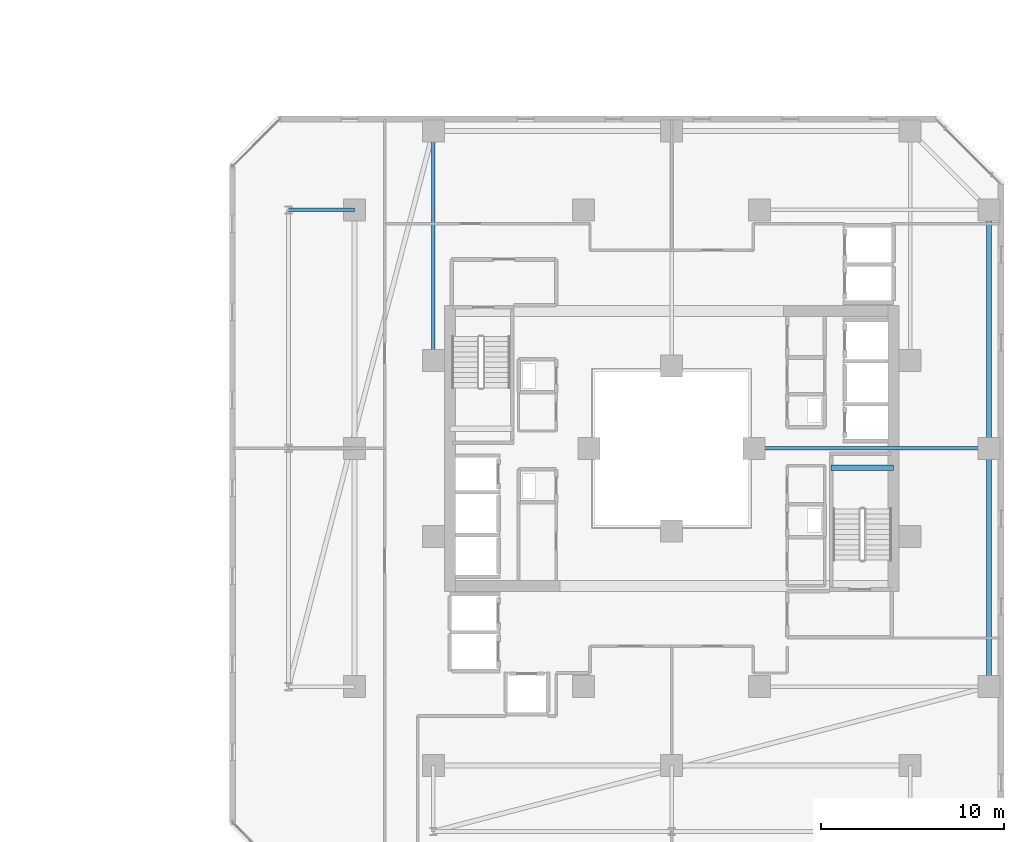
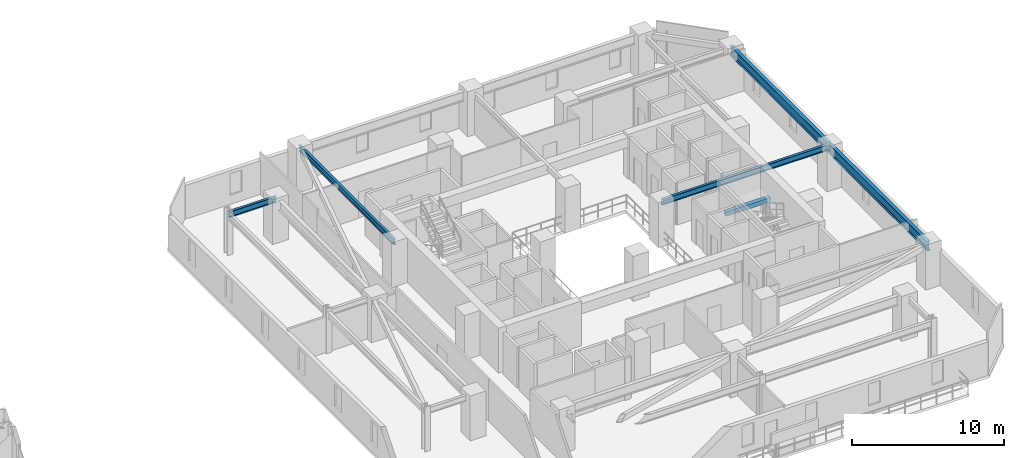
# One storey, part 14 of 33: 6 beams.
"""IFC4 building model written with IfcOpenShell, lengths in metres."""

import ifcopenshell
import ifcopenshell.guid

model = None  # the IFC model being written
_history = None  # IfcOwnerHistory: only IFC2X3 demands one
_inside = {}  # id of a spatial element -> (the spatial element, [elements in it])
_under = {}  # id of a project, library or spatial element -> (it, [spatial elements below it])
_declared = {}  # id of a project -> (the project, [libraries it declares])
_typed = {}  # id of a type object -> (the type object, [elements of that type])
_made_of = {}  # id of a material, layer set ... -> (it, [elements and type objects made of it])


def new_model(schema):
    """Start an empty IFC model of exactly this schema.

    Asked for "IFC4X3", IfcOpenShell would pick the latest addendum, in which some entities
    have other attributes; the version numbers below select the first issue.
    IFC2X3 requires an IfcOwnerHistory on every rooted entity: one is made here for all.
    """
    global model, _history
    if schema == "IFC4X3":
        model = ifcopenshell.file(schema_version=(4, 3, 0, 0))
    else:
        model = ifcopenshell.file(schema=schema)
    _inside.clear()
    _under.clear()
    _declared.clear()
    _typed.clear()
    _made_of.clear()
    _history = None
    if model.schema == "IFC2X3":
        org = make("IfcOrganization", Name="unknown")
        user = make(
            "IfcPersonAndOrganization",
            ThePerson=make("IfcPerson", FamilyName="unknown"),
            TheOrganization=org,
        )
        app = make(
            "IfcApplication",
            ApplicationDeveloper=org,
            Version="unknown",
            ApplicationFullName="unknown",
            ApplicationIdentifier="unknown",
        )
        _history = make(
            "IfcOwnerHistory",
            OwningUser=user,
            OwningApplication=app,
            ChangeAction="ADDED",
            CreationDate=0,
        )
    return model


def make(cls, **values):
    """One entity of the class cls with the attributes given. An attribute that is None is left unset."""
    return model.create_entity(
        cls, **{name: value for name, value in values.items() if value is not None}
    )


def rooted(cls, **values):
    """An entity with a GlobalId (a new one), such as an element, a storey or a relation."""
    return make(cls, GlobalId=ifcopenshell.guid.new(), OwnerHistory=_history, **values)


def si_unit(unit_type, name, prefix=None):
    """IfcSIUnit, for example si_unit("LENGTHUNIT", "METRE", prefix="MILLI")."""
    return make("IfcSIUnit", UnitType=unit_type, Prefix=prefix, Name=name)


def assignment(units):
    """IfcUnitAssignment: the units of a project."""
    return None if units is None else make("IfcUnitAssignment", Units=units)


def point(xyz):
    """IfcCartesianPoint."""
    return None if xyz is None else make("IfcCartesianPoint", Coordinates=xyz)


def direction(xyz):
    """IfcDirection."""
    return None if xyz is None else make("IfcDirection", DirectionRatios=xyz)


def frame(location, z_axis=None, x_axis=None):
    """IfcAxis2Placement3D, a coordinate frame: its origin and axes. An axis left out is left unset."""
    return make(
        "IfcAxis2Placement3D",
        Location=point(location),
        Axis=direction(z_axis),
        RefDirection=direction(x_axis),
    )


def frame_2d(location, x_axis=None):
    """IfcAxis2Placement2D, a coordinate frame in the plane: its origin and x axis."""
    return make(
        "IfcAxis2Placement2D", Location=point(location), RefDirection=direction(x_axis)
    )


def origin():
    """The frame at (0, 0, 0) with its axes left unset."""
    return frame((0.0, 0.0, 0.0))


def origin_2d():
    """The frame at (0, 0) in the plane with its x axis left unset."""
    return frame_2d((0.0, 0.0))


def place(relative_to, where):
    """IfcLocalPlacement: puts the frame where relative to a parent placement (None: the world)."""
    return make(
        "IfcLocalPlacement", PlacementRelTo=relative_to, RelativePlacement=where
    )


def context(
    kind, dimensions, precision=None, world=None, true_north=None, identifier=None
):
    """IfcGeometricRepresentationContext, for example the 3D "Model" context."""
    return make(
        "IfcGeometricRepresentationContext",
        ContextIdentifier=identifier,
        ContextType=kind,
        CoordinateSpaceDimension=dimensions,
        Precision=precision,
        WorldCoordinateSystem=world,
        TrueNorth=true_north,
    )


def subcontext(parent, identifier, kind, view, scale=None):
    """IfcGeometricRepresentationSubContext, for example "Body" below "Model"."""
    return make(
        "IfcGeometricRepresentationSubContext",
        ContextIdentifier=identifier,
        ContextType=kind,
        ParentContext=parent,
        TargetScale=scale,
        TargetView=view,
    )


def project(units=None, contexts=None):
    """IfcProject with its units and contexts."""
    return rooted(
        "IfcProject",
        Name="project",
        RepresentationContexts=contexts,
        UnitsInContext=assignment(units),
    )


def spatial(cls, under=None, at=None, **own):
    """A site, building, storey or space (cls), placed at a placement, below another one or the project."""
    s = rooted(cls, ObjectPlacement=at, **own)
    if under is not None:
        _under.setdefault(under.id(), (under, []))[1].append(s)
    return s


def profile(cls, at=None, kind="AREA", **sizes):
    """A parametric profile (cls). Its sizes go by their IFC names, for example OverallWidth=200.0."""
    return make(cls, ProfileType=kind, Position=at, **sizes)


def rectangle(**sizes):
    """IfcRectangleProfileDef."""
    return profile("IfcRectangleProfileDef", **sizes)


def i_section(**sizes):
    """IfcIShapeProfileDef."""
    return profile("IfcIShapeProfileDef", **sizes)


def extrude(swept, where, along, depth):
    """IfcExtrudedAreaSolid: the profile swept, set in the frame where, extruded along a direction by depth."""
    return make(
        "IfcExtrudedAreaSolid",
        SweptArea=swept,
        Position=where,
        ExtrudedDirection=direction(along),
        Depth=depth,
    )


def shape(context_of_items, identifier, shape_type, items):
    """IfcShapeRepresentation: the items that make up one representation, for example the "Body"."""
    return make(
        "IfcShapeRepresentation",
        ContextOfItems=context_of_items,
        RepresentationIdentifier=identifier,
        RepresentationType=shape_type,
        Items=items,
    )


def material(Name=None, Category=None):
    """IfcMaterial."""
    return make("IfcMaterial", Name=Name, Category=Category)


def material_profile(
    of_material, cross_section, Name=None, Category=None, Priority=None
):
    """IfcMaterialProfile: a cross section and its material."""
    return make(
        "IfcMaterialProfile",
        Name=Name,
        Material=of_material,
        Profile=cross_section,
        Priority=Priority,
        Category=Category,
    )


def profile_set(profiles, Name=None, composite=None):
    """IfcMaterialProfileSet."""
    return make(
        "IfcMaterialProfileSet",
        Name=Name,
        MaterialProfiles=profiles,
        CompositeProfile=composite,
    )


def made_of(thing, what):
    """Note that an element or type object is made of a material, layer set ...; save() writes the relation."""
    if what is not None:
        _made_of.setdefault(what.id(), (what, []))[1].append(thing)
    return thing


def type_object(cls, material=None, **own):
    """A type object (cls), such as IfcWallType, which elements share."""
    return made_of(rooted(cls, **own), material)


def element(
    cls,
    number,
    at=None,
    inside=None,
    cuts=None,
    type_object=None,
    material=None,
    context=None,
    identifier="Body",
    shape_type=None,
    held_by="IfcProductDefinitionShape",
    body=None,
    shapes=None,
    **own,
):
    """One element of the class cls, such as IfcWall. Its Tag is "e" and its number.

    at: its placement. inside: the storey or other place that contains it. cuts: it is an
    opening in that element (IfcRelVoidsElement). A single representation is given by context,
    identifier, shape_type and body (its items); several are given by shapes. held_by: the class
    of the entity that holds the representations. save() writes the other relations.
    """
    e = rooted(cls, Tag="e%d" % number, ObjectPlacement=at, **own)
    if body is not None:
        shapes = [shape(context, identifier, shape_type, body)]
    if shapes is not None:
        e.Representation = make(held_by, Representations=shapes)
    if inside is not None:
        _inside.setdefault(inside.id(), (inside, []))[1].append(e)
    if cuts is not None:
        rooted(
            "IfcRelVoidsElement", RelatingBuildingElement=cuts, RelatedOpeningElement=e
        )
    if type_object is not None:
        _typed.setdefault(type_object.id(), (type_object, []))[1].append(e)
    return made_of(e, material)


def aggregate(whole, parts):
    """IfcRelAggregates: a whole, such as a stair, and the parts it consists of."""
    return rooted("IfcRelAggregates", RelatingObject=whole, RelatedObjects=parts)


def save(model, path):
    """Write the relations noted so far, then the file.

    IfcRelAggregates (storeys below a building ...), IfcRelContainedInSpatialStructure (elements
    in a storey), IfcRelDefinesByType, IfcRelAssociatesMaterial and IfcRelDeclares: one each for
    every whole, place, type object, material and project.
    """
    for whole, parts in _under.values():
        aggregate(whole, parts)
    for where, things in _inside.values():
        rooted(
            "IfcRelContainedInSpatialStructure",
            RelatedElements=things,
            RelatingStructure=where,
        )
    for kind, things in _typed.values():
        rooted("IfcRelDefinesByType", RelatedObjects=things, RelatingType=kind)
    for what, things in _made_of.values():
        rooted("IfcRelAssociatesMaterial", RelatedObjects=things, RelatingMaterial=what)
    for by, libraries in _declared.values():
        rooted("IfcRelDeclares", RelatingContext=by, RelatedDefinitions=libraries)
    model.write(path)


model = new_model("IFC4")

# Units and contexts
model_context = context("Model", 3, precision=1e-05, world=origin(), true_north=direction((0.0, 1.0)))
body_context = subcontext(model_context, "Body", "Model", "MODEL_VIEW")
ifc_project = project(units=[si_unit("LENGTHUNIT", "METRE"), si_unit("AREAUNIT", "SQUARE_METRE"), si_unit("VOLUMEUNIT", "CUBIC_METRE"), si_unit("PLANEANGLEUNIT", "RADIAN"), si_unit("MASSUNIT", "GRAM", prefix="KILO")], contexts=[model_context])

# Site, building, storey
site_placement = place(None, origin())
site = spatial("IfcSite", under=ifc_project, at=site_placement, CompositionType="ELEMENT")
building_placement = place(site_placement, origin())
building = spatial("IfcBuilding", under=site, at=building_placement, Name="Thornwick Lancets Civic Towers", CompositionType="ELEMENT")
storey_placement = place(building_placement, frame((0.0, 0.0, 105.300048828125)))
storey = spatial("IfcBuildingStorey", under=building, at=storey_placement, Name="L27", CompositionType="ELEMENT", Elevation=105.300048828125)

# Beams
ifc_material_1 = material(Name="Steel S355JR", Category="steel")
ifc_material_profile_1 = material_profile(ifc_material_1, i_section(OverallWidth=0.26806640625, OverallDepth=0.769775390625, WebThickness=0.015625, FlangeThickness=0.025390625, FilletRadius=0.0166015625, at=origin_2d()), Name="UKB 762x267x197")
ifc_profile_set_1 = profile_set([ifc_material_profile_1], Name="Steel S355JR")
beam_type_1 = type_object("IfcBeamType", Name="BM_GIRD_762_197", PredefinedType="BEAM", material=ifc_profile_set_1)
beam_1_placement = place(storey_placement, frame((105.800048828125, 14.0, 2.97509765625), z_axis=(0.0, 1.0, 0.0), x_axis=(-1.0, 0.0, 0.0)))
element("IfcBeam", 1, at=beam_1_placement, inside=storey, type_object=beam_type_1, Name="BM-SPINE-L27-B-0-1", PredefinedType="BEAM", context=body_context, shape_type="SweptSolid", body=[
    extrude(i_section(OverallWidth=0.26806640625, OverallDepth=0.769775390625, WebThickness=0.015625, FlangeThickness=0.025390625, FilletRadius=0.0166015625, at=origin_2d()), origin(), (0.0, 0.0, 1.0), 13.0),
])
beam_2_placement = place(storey_placement, frame((105.800048828125, 27.080078125, 2.97509765625), z_axis=(0.0, 1.0, 0.0), x_axis=(-1.0, 0.0, 0.0)))
element("IfcBeam", 2, at=beam_2_placement, inside=storey, type_object=beam_type_1, Name="BM-SPINE-L27-B-1-2", PredefinedType="BEAM", context=body_context, shape_type="SweptSolid", body=[
    extrude(i_section(OverallWidth=0.26806640625, OverallDepth=0.769775390625, WebThickness=0.015625, FlangeThickness=0.025390625, FilletRadius=0.0166015625, at=origin_2d()), origin(), (0.0, 0.0, 1.0), 12.919921875),
])
ifc_material_profile_2 = material_profile(ifc_material_1, i_section(OverallWidth=0.19287109375, OverallDepth=0.46728515625, WebThickness=0.011474609375, FlangeThickness=0.01953125, FilletRadius=0.01025390625, at=origin_2d()), Name="UKB 457x191x98")
ifc_profile_set_2 = profile_set([ifc_material_profile_2], Name="Steel S355JR")
beam_type_2 = type_object("IfcBeamType", Name="BM_JOIST_457_98", PredefinedType="JOIST", material=ifc_profile_set_2)
beam_3_placement = place(storey_placement, frame((93.0, 27.0, 3.12646484375), z_axis=(1.0, 0.0, 0.0), x_axis=(0.0, 1.0, 0.0)))
element("IfcBeam", 3, at=beam_3_placement, inside=storey, type_object=beam_type_2, Name="BM-RADIN-L27-B02", PredefinedType="JOIST", context=body_context, shape_type="SweptSolid", body=[
    extrude(i_section(OverallWidth=0.19287109375, OverallDepth=0.46728515625, WebThickness=0.011474609375, FlangeThickness=0.01953125, FilletRadius=0.01025390625, at=origin_2d()), origin(), (0.0, 0.0, 1.0), 12.800048828125),
])
beam_4_placement = place(storey_placement, frame((75.5, 31.800048828125, 3.12646484375), z_axis=(0.0, 1.0, 0.0), x_axis=(-1.0, 0.0, 0.0)))
element("IfcBeam", 4, at=beam_4_placement, inside=storey, type_object=beam_type_2, Name="BM-RADIN-L27-B06", PredefinedType="JOIST", context=body_context, shape_type="SweptSolid", body=[
    extrude(i_section(OverallWidth=0.19287109375, OverallDepth=0.46728515625, WebThickness=0.011474609375, FlangeThickness=0.01953125, FilletRadius=0.01025390625, at=origin_2d()), origin(), (0.0, 0.0, 1.0), 12.5),
])
beam_5_placement = place(storey_placement, frame((71.199951171875, 40.0, 3.12646484375), z_axis=(-1.0, 0.0, 0.0), x_axis=(0.0, -1.0, 0.0)))
element("IfcBeam", 5, at=beam_5_placement, inside=storey, type_object=beam_type_2, Name="BM-RAD-L27-B09", PredefinedType="JOIST", context=body_context, shape_type="SweptSolid", body=[
    extrude(i_section(OverallWidth=0.19287109375, OverallDepth=0.46728515625, WebThickness=0.011474609375, FlangeThickness=0.01953125, FilletRadius=0.01025390625, at=origin_2d()), origin(), (0.0, 0.0, 1.0), 3.599853515625),
])
ifc_material_2 = material(Name="Concrete C40/50", Category="concrete")
ifc_material_profile_3 = material_profile(ifc_material_2, rectangle(XDim=0.300048828125, YDim=0.35009765625, at=origin_2d()), Name="RC 300x350")
ifc_profile_set_3 = profile_set([ifc_material_profile_3], Name="Concrete C40/50")
beam_type_3 = type_object("IfcBeamType", Name="BM_STAIR_LDG", PredefinedType="BEAM", material=ifc_profile_set_3)
beam_6_placement = place(storey_placement, frame((100.60009765625, 25.93505859375, 1.3779296875), z_axis=(-1.0, 0.0, 0.0), x_axis=(0.0, -1.0, 0.0)))
element("IfcBeam", 6, at=beam_6_placement, inside=storey, type_object=beam_type_3, Name="L27 ST-B1 Landing Support Beam 1", PredefinedType="BEAM", context=body_context, shape_type="SweptSolid", body=[
    extrude(rectangle(XDim=0.300048828125, YDim=0.35009765625, at=origin_2d()), origin(), (0.0, 0.0, 1.0), 3.400146484375),
])

save(model, "model.ifc")
